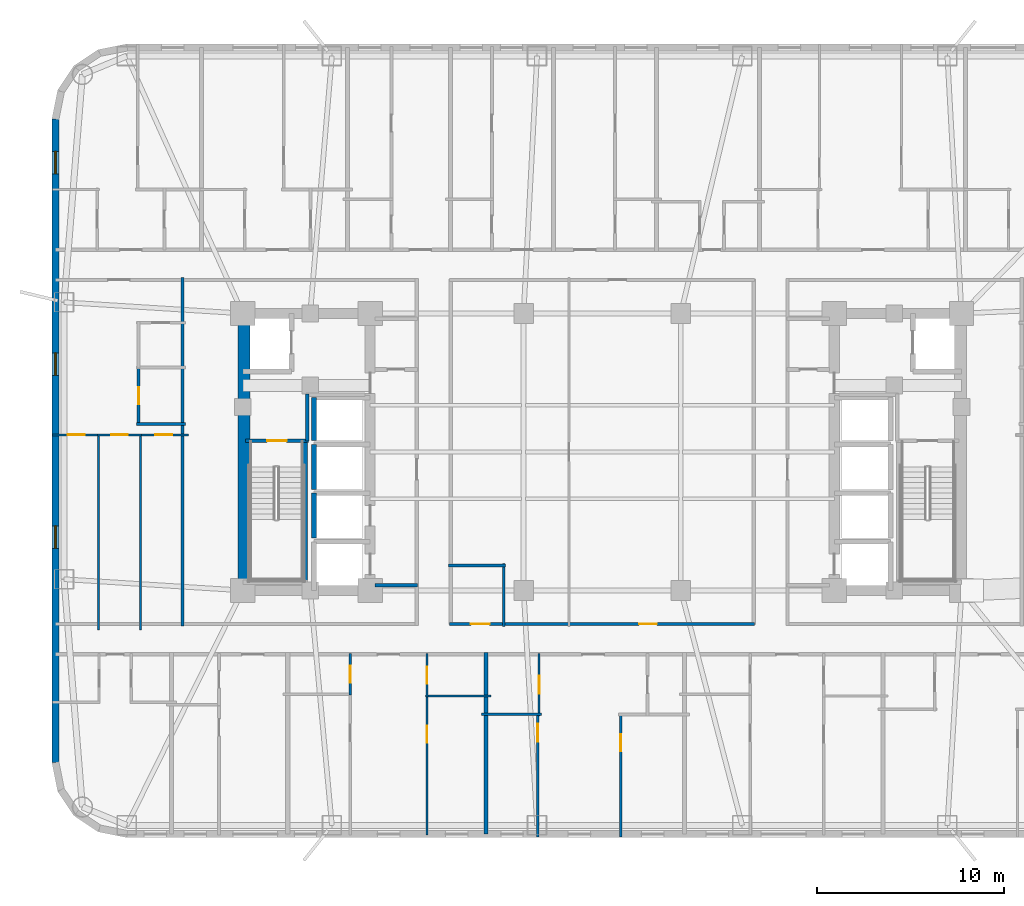
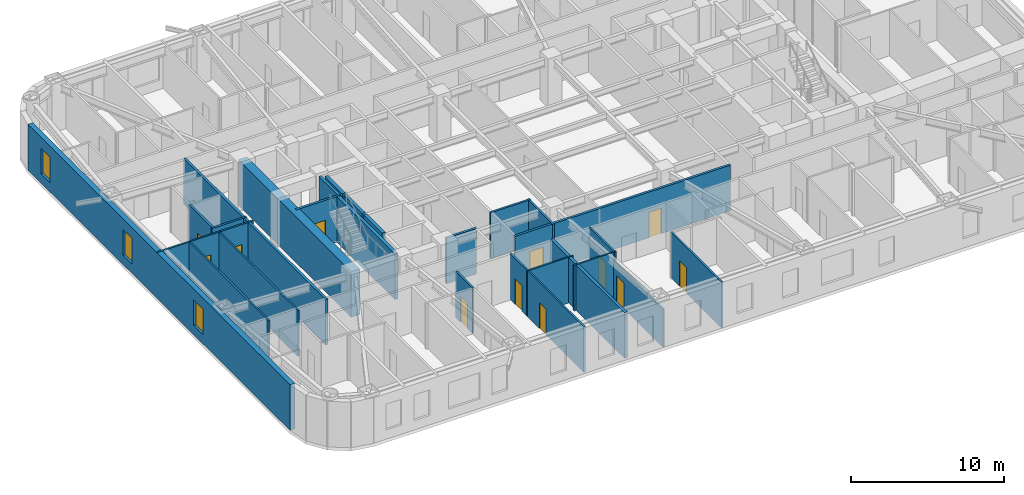
# One storey, part 3 of 12: 29 walls, 13 doors, 3 windows, 16 openings.
"""IFC4 building model written with IfcOpenShell, lengths in metres."""

from ifc_helpers import new_model, si_unit, direction, frame, frame_2d, origin, place, context, subcontext, project, spatial, rectangle, extrude, material, layer, layer_set, type_object, element, fill, save


model = new_model("IFC4")

# Units and contexts
model_context = context("Model", 3, precision=1e-05, world=origin(), true_north=direction((0.0, 1.0)))
body_context = subcontext(model_context, "Body", "Model", "MODEL_VIEW")
ifc_project = project(units=[si_unit("LENGTHUNIT", "METRE"), si_unit("AREAUNIT", "SQUARE_METRE"), si_unit("VOLUMEUNIT", "CUBIC_METRE"), si_unit("PLANEANGLEUNIT", "RADIAN"), si_unit("MASSUNIT", "GRAM", prefix="KILO")], contexts=[model_context])

# Site, building, storey
site_placement = place(None, origin())
site = spatial("IfcSite", under=ifc_project, at=site_placement, CompositionType="ELEMENT")
building_placement = place(site_placement, origin())
building = spatial("IfcBuilding", under=site, at=building_placement, Name="Voryun Gate Residences", CompositionType="ELEMENT")
storey_placement = place(building_placement, frame((0.0, 0.0, 109.199951171875)))
storey = spatial("IfcBuildingStorey", under=building, at=storey_placement, Name="L26", CompositionType="ELEMENT", Elevation=109.199951171875)

# Wall
ifc_material_1 = material(Name="Concrete C60/75", Category="concrete")
ifc_layer_1 = layer(ifc_material_1, 0.64990234375, Name="CW_CORE_650")
ifc_layer_set_1 = layer_set([ifc_layer_1], Name="Concrete C60/75")
wall_type_1 = type_object("IfcWallType", Name="CW_CORE_650", PredefinedType="SHEAR", material=ifc_layer_set_1)
wall_1_placement = place(storey_placement, frame((-19.14501953125, -7.39990234375, 0.0), z_axis=(0.0, 0.0, 1.0), x_axis=(0.0, 1.0, 0.0)))
element("IfcWall", 1, at=wall_1_placement, inside=storey, type_object=wall_type_1, Name="L26 Core shear wall CW-L26-WW", PredefinedType="SHEAR", context=body_context, shape_type="SweptSolid", body=[
    extrude(rectangle(XDim=14.7998046875, YDim=0.64990234375, at=frame_2d((7.39990234375, 0.0))), origin(), (0.0, 0.0, 1.0), 3.650146484375),
])

# Wall, opening, door
ifc_material_2 = material(Name="Gypsum acoustic fireboard")
ifc_layer_2 = layer(ifc_material_2, 0.179931640625, Name="W_CORR_RATED_180")
ifc_layer_set_2 = layer_set([ifc_layer_2], Name="Gypsum acoustic fireboard")
wall_type_2 = type_object("IfcWallType", Name="W_CORR_RATED_180", PredefinedType="PARTITIONING", material=ifc_layer_set_2)
wall_2_placement = place(storey_placement, frame((-19.06005859375, 0.60009765625, 0.0), z_axis=(0.0, 0.0, 1.0), x_axis=(1.0, 0.0, 0.0)))
wall_2 = element("IfcWall", 2, at=wall_2_placement, inside=storey, type_object=wall_type_2, Name="Partition wall WP-L26-STV-W", PredefinedType="PARTITIONING", context=body_context, shape_type="SweptSolid", body=[
    extrude(rectangle(XDim=3.360107421875, YDim=0.179931640625, at=frame_2d((1.68017578125, 0.0))), origin(), (0.0, 0.0, 1.0), 3.650146484375),
])
opening_1_placement = place(wall_2_placement, frame((1.155029296875, 0.0, 0.0)))
opening_1 = element("IfcOpeningElement", 3, at=opening_1_placement, cuts=wall_2, Name="Opening D-FD60-1", PredefinedType="OPENING", context=body_context, shape_type="SweptSolid", body=[
    extrude(rectangle(XDim=1.050048828125, YDim=2.050048828125, at=frame_2d((0.52490234375, 1.02490234375))), frame((0.0, 0.099853515625, 0.0), z_axis=(0.0, -1.0, 0.0), x_axis=(1.0, 0.0, 0.0)), (0.0, 0.0, 1.0), 0.199951171875),
])
ifc_material_3 = material(Name="Painted steel fire door", Category="steel")
door_type_1 = type_object("IfcDoorType", Name="DR_FD60_STAIR_1050", OperationType="NOTDEFINED", PredefinedType="DOOR", material=ifc_material_3)
door_1_placement = place(opening_1_placement, origin())
door_1 = element("IfcDoor", 4, at=door_1_placement, inside=storey, type_object=door_type_1, Name="Door DR-L26-ST-W", OperationType="SINGLE_SWING_LEFT", OverallHeight=2.050048828125, OverallWidth=1.050048828125, PredefinedType="DOOR", context=body_context, shape_type="SweptSolid", body=[
    extrude(rectangle(XDim=1.050048828125, YDim=2.050048828125, at=frame_2d((0.52490234375, 1.02490234375))), frame((0.0, 0.02490234375, 0.0), z_axis=(0.0, -1.0, 0.0), x_axis=(1.0, 0.0, 0.0)), (0.0, 0.0, 1.0), 0.050048828125),
])
fill(opening_1, door_1)

# Wall
wall_3_placement = place(storey_placement, frame((-12.14990234375, -7.1201171875, 0.0), z_axis=(0.0, 0.0, 1.0), x_axis=(1.0, 0.0, 0.0)))
element("IfcWall", 5, at=wall_3_placement, inside=storey, type_object=wall_type_2, Name="Partition wall WP-L26-PLBS-W", PredefinedType="PARTITIONING", context=body_context, shape_type="SweptSolid", body=[
    extrude(rectangle(XDim=2.27001953125, YDim=0.179931640625, at=frame_2d((1.135009765625, 0.0))), origin(), (0.0, 0.0, 1.0), 3.650146484375),
])

# Wall, openings, doors
wall_4_placement = place(storey_placement, frame((-8.14990234375, -9.18994140625, 0.0), z_axis=(0.0, 0.0, 1.0), x_axis=(1.0, 0.0, 0.0)))
wall_4 = element("IfcWall", 6, at=wall_4_placement, inside=storey, type_object=wall_type_2, Name="Partition wall WP-L26-Z1S", PredefinedType="PARTITIONING", context=body_context, shape_type="SweptSolid", body=[
    extrude(rectangle(XDim=16.2998046875, YDim=0.179931640625, at=frame_2d((8.14990234375, 0.0))), origin(), (0.0, 0.0, 1.0), 3.650146484375),
])
opening_2_placement = place(wall_4_placement, frame((1.1298828125, 0.0, 0.0)))
opening_2 = element("IfcOpeningElement", 7, at=opening_2_placement, cuts=wall_4, Name="Opening D-AWC-1", PredefinedType="OPENING", context=body_context, shape_type="SweptSolid", body=[
    extrude(rectangle(XDim=1.0, YDim=2.050048828125, at=frame_2d((0.5, 1.02490234375))), frame((0.0, 0.099853515625, 0.0), z_axis=(0.0, -1.0, 0.0), x_axis=(1.0, 0.0, 0.0)), (0.0, 0.0, 1.0), 0.199951171875),
])
opening_3_placement = place(wall_4_placement, frame((10.1201171875, 0.0, 0.0)))
opening_3 = element("IfcOpeningElement", 8, at=opening_3_placement, cuts=wall_4, Name="Opening D-INT-1", PredefinedType="OPENING", context=body_context, shape_type="SweptSolid", body=[
    extrude(rectangle(XDim=0.949951171875, YDim=2.050048828125, at=frame_2d((0.47509765625, 1.02490234375))), frame((0.0, 0.099853515625, 0.0), z_axis=(0.0, -1.0, 0.0), x_axis=(1.0, 0.0, 0.0)), (0.0, 0.0, 1.0), 0.199951171875),
])
ifc_material_4 = material(Name="Architectural oak veneer")
door_type_2 = type_object("IfcDoorType", Name="DR_ACC_WC_1000", OperationType="NOTDEFINED", PredefinedType="DOOR", material=ifc_material_4)
door_2_placement = place(opening_2_placement, origin())
door_2 = element("IfcDoor", 9, at=door_2_placement, inside=storey, type_object=door_type_2, Name="Door DR-L26-CMWC-D", OperationType="SINGLE_SWING_LEFT", OverallHeight=2.050048828125, OverallWidth=1.0, PredefinedType="DOOR", context=body_context, shape_type="SweptSolid", body=[
    extrude(rectangle(XDim=1.0, YDim=2.050048828125, at=frame_2d((0.5, 1.02490234375))), frame((0.0, 0.02490234375, 0.0), z_axis=(0.0, -1.0, 0.0), x_axis=(1.0, 0.0, 0.0)), (0.0, 0.0, 1.0), 0.050048828125),
])
fill(opening_2, door_2)
ifc_material_5 = material(Name="Architectural oak veneer")
door_type_3 = type_object("IfcDoorType", Name="DR_INT_ROOM_950", OperationType="NOTDEFINED", PredefinedType="DOOR", material=ifc_material_5)
door_3_placement = place(opening_3_placement, origin())
door_3 = element("IfcDoor", 10, at=door_3_placement, inside=storey, type_object=door_type_3, Name="Door DR-L26-CMIDZ1S", OperationType="SINGLE_SWING_RIGHT", OverallHeight=2.050048828125, OverallWidth=0.949951171875, PredefinedType="DOOR", context=body_context, shape_type="SweptSolid", body=[
    extrude(rectangle(XDim=0.949951171875, YDim=2.050048828125, at=frame_2d((0.47509765625, 1.02490234375))), frame((0.0, 0.02490234375, 0.0), z_axis=(0.0, -1.0, 0.0), x_axis=(1.0, 0.0, 0.0)), (0.0, 0.0, 1.0), 0.050048828125),
])
fill(opening_3, door_3)

# Wall
wall_5_placement = place(storey_placement, frame((-22.419921875, -9.31005859375, 0.0), z_axis=(0.0, 0.0, 1.0), x_axis=(0.0, 1.0, 0.0)))
element("IfcWall", 11, at=wall_5_placement, inside=storey, type_object=wall_type_2, Name="Partition wall WP-L26-WCOR", PredefinedType="PARTITIONING", context=body_context, shape_type="SweptSolid", body=[
    extrude(rectangle(XDim=18.6201171875, YDim=0.179931640625, at=frame_2d((9.31005859375, 0.0))), origin(), (0.0, 0.0, 1.0), 3.650146484375),
])

# Wall, openings, windows
ifc_material_6 = material(Name="Granite masonry", Category="masonry")
ifc_layer_3 = layer(ifc_material_6, 0.3798828125, Name="W_EXT_GRANITE_380")
ifc_layer_set_3 = layer_set([ifc_layer_3], Name="Granite masonry")
wall_type_3 = type_object("IfcWallType", Name="W_EXT_GRANITE_380", PredefinedType="ELEMENTEDWALL", material=ifc_layer_set_3)
wall_6_placement = place(storey_placement, frame((-29.2099609375, -16.581298828125, 0.0), z_axis=(0.0, 0.0, 1.0), x_axis=(0.0, 1.0, 0.0)))
wall_6 = element("IfcWall", 12, at=wall_6_placement, inside=storey, type_object=wall_type_3, Name="Exterior wall WEXT-L26-06", PredefinedType="ELEMENTEDWALL", context=body_context, shape_type="SweptSolid", body=[
    extrude(rectangle(XDim=34.362548828125, YDim=0.3798828125, at=frame_2d((17.18115234375, 0.0))), origin(), (0.0, 0.0, 1.0), 3.650146484375),
])
opening_4_placement = place(wall_6_placement, frame((31.43701171875, 0.0, 0.75)))
opening_4 = element("IfcOpeningElement", 13, at=opening_4_placement, cuts=wall_6, Name="Opening WN6", PredefinedType="OPENING", context=body_context, shape_type="SweptSolid", body=[
    extrude(rectangle(XDim=1.199951171875, YDim=2.050048828125, at=frame_2d((0.60009765625, 1.02490234375))), frame((0.0, 0.199951171875, 0.0), z_axis=(0.0, -1.0, 0.0), x_axis=(1.0, 0.0, 0.0)), (0.0, 0.0, 1.0), 0.39990234375),
])
opening_5_placement = place(wall_6_placement, frame((20.67626953125, 0.0, 0.75)))
opening_5 = element("IfcOpeningElement", 14, at=opening_5_placement, cuts=wall_6, Name="Opening WN6", PredefinedType="OPENING", context=body_context, shape_type="SweptSolid", body=[
    extrude(rectangle(XDim=1.199951171875, YDim=2.050048828125, at=frame_2d((0.60009765625, 1.02490234375))), frame((0.0, 0.199951171875, 0.0), z_axis=(0.0, -1.0, 0.0), x_axis=(1.0, 0.0, 0.0)), (0.0, 0.0, 1.0), 0.39990234375),
])
opening_6_placement = place(wall_6_placement, frame((11.42626953125, 0.0, 0.75)))
opening_6 = element("IfcOpeningElement", 15, at=opening_6_placement, cuts=wall_6, Name="Opening WN6", PredefinedType="OPENING", context=body_context, shape_type="SweptSolid", body=[
    extrude(rectangle(XDim=1.199951171875, YDim=2.050048828125, at=frame_2d((0.60009765625, 1.02490234375))), frame((0.0, 0.199951171875, 0.0), z_axis=(0.0, -1.0, 0.0), x_axis=(1.0, 0.0, 0.0)), (0.0, 0.0, 1.0), 0.39990234375),
])
ifc_material_7 = material(Name="Laminated low-E glass", Category="glass")
window_type = type_object("IfcWindowType", Name="WN_POD_SLOT_1200", PartitioningType="SINGLE_PANEL", PredefinedType="WINDOW", material=ifc_material_7)
window_1_placement = place(opening_4_placement, origin())
window_1 = element("IfcWindow", 16, at=window_1_placement, inside=storey, type_object=window_type, Name="Window WN-L26-DWFIX-01", OverallHeight=2.050048828125, OverallWidth=1.199951171875, PartitioningType="SINGLE_PANEL", PredefinedType="WINDOW", context=body_context, shape_type="SweptSolid", body=[
    extrude(rectangle(XDim=1.199951171875, YDim=2.050048828125, at=frame_2d((0.60009765625, 1.02490234375))), frame((0.0, 0.030029296875, 0.0), z_axis=(0.0, -1.0, 0.0), x_axis=(1.0, 0.0, 0.0)), (0.0, 0.0, 1.0), 0.06005859375),
])
fill(opening_4, window_1)
window_2_placement = place(opening_5_placement, origin())
window_2 = element("IfcWindow", 17, at=window_2_placement, inside=storey, type_object=window_type, Name="Window WN-L26-DWFIX-30", OverallHeight=2.050048828125, OverallWidth=1.199951171875, PartitioningType="SINGLE_PANEL", PredefinedType="WINDOW", context=body_context, shape_type="SweptSolid", body=[
    extrude(rectangle(XDim=1.199951171875, YDim=2.050048828125, at=frame_2d((0.60009765625, 1.02490234375))), frame((0.0, 0.030029296875, 0.0), z_axis=(0.0, -1.0, 0.0), x_axis=(1.0, 0.0, 0.0)), (0.0, 0.0, 1.0), 0.06005859375),
])
fill(opening_5, window_2)
window_3_placement = place(opening_6_placement, origin())
window_3 = element("IfcWindow", 18, at=window_3_placement, inside=storey, type_object=window_type, Name="Window WN-L26-DWFIX-31", OverallHeight=2.050048828125, OverallWidth=1.199951171875, PartitioningType="SINGLE_PANEL", PredefinedType="WINDOW", context=body_context, shape_type="SweptSolid", body=[
    extrude(rectangle(XDim=1.199951171875, YDim=2.050048828125, at=frame_2d((0.60009765625, 1.02490234375))), frame((0.0, 0.030029296875, 0.0), z_axis=(0.0, -1.0, 0.0), x_axis=(1.0, 0.0, 0.0)), (0.0, 0.0, 1.0), 0.06005859375),
])
fill(opening_6, window_3)

# Walls
ifc_material_8 = material(Name="Concrete C40/50", Category="concrete")
ifc_layer_4 = layer(ifc_material_8, 0.199951171875, Name="W_FF_LOBBY_200")
ifc_layer_set_4 = layer_set([ifc_layer_4], Name="Concrete C40/50")
wall_type_4 = type_object("IfcWallType", Name="W_FF_LOBBY_200", PredefinedType="PARTITIONING", material=ifc_layer_set_4)
wall_7_placement = place(storey_placement, frame((-15.760009765625, 0.580078125, 0.0), z_axis=(0.0, 0.0, 1.0), x_axis=(0.0, 1.0, 0.0)))
element("IfcWall", 19, at=wall_7_placement, inside=storey, type_object=wall_type_4, Name="Partition wall WP-L26-FFP0-W", PredefinedType="PARTITIONING", context=body_context, shape_type="SweptSolid", body=[
    extrude(rectangle(XDim=2.52001953125, YDim=0.199951171875, at=frame_2d((1.260009765625, 0.0))), origin(), (0.0, 0.0, 1.0), 3.650146484375),
])
ifc_material_9 = material(Name="Concrete C40/50", Category="concrete")
ifc_layer_5 = layer(ifc_material_9, 0.219970703125, Name="W_PARTY_ACOUSTIC_220")
ifc_layer_set_5 = layer_set([ifc_layer_5], Name="Concrete C40/50")
wall_type_5 = type_object("IfcWallType", Name="W_PARTY_ACOUSTIC_220", PredefinedType="PARTITIONING", material=ifc_layer_set_5)
wall_8_placement = place(storey_placement, frame((-6.199951171875, -20.409912109375, 0.0), z_axis=(0.0, 0.0, 1.0), x_axis=(0.0, 1.0, 0.0)))
element("IfcWall", 20, at=wall_8_placement, inside=storey, type_object=wall_type_5, Name="Partition wall WP-L26-SPTY-3", PredefinedType="PARTITIONING", context=body_context, shape_type="SweptSolid", body=[
    extrude(rectangle(XDim=9.68994140625, YDim=0.219970703125, at=frame_2d((4.844970703125, 0.0))), origin(), (0.0, 0.0, 1.0), 3.650146484375),
])
ifc_material_10 = material(Name="Concrete C50/60", Category="concrete")
ifc_layer_6 = layer(ifc_material_10, 0.25, Name="W_SHAFT_RC250")
ifc_layer_set_6 = layer_set([ifc_layer_6], Name="Concrete C50/60")
wall_type_6 = type_object("IfcWallType", Name="W_SHAFT_RC250", PredefinedType="SOLIDWALL", material=ifc_layer_set_6)
wall_9_placement = place(storey_placement, frame((-15.860107421875, -7.0849609375, 0.0), z_axis=(0.0, 0.0, 1.0), x_axis=(0.0, 1.0, 0.0)))
element("IfcWall", 21, at=wall_9_placement, inside=storey, type_object=wall_type_6, Name="L26 Stair shaft structural wall W-STR", PredefinedType="SOLIDWALL", context=body_context, shape_type="SweptSolid", body=[
    extrude(rectangle(XDim=7.68505859375, YDim=0.25, at=frame_2d((3.842529296875, 0.0))), origin(), (0.0, 0.0, 1.0), 3.650146484375),
])
wall_10_placement = place(storey_placement, frame((-15.39990234375, -2.199951171875, 0.0), z_axis=(0.0, 0.0, 1.0), x_axis=(0.0, -1.0, 0.0)))
element("IfcWall", 22, at=wall_10_placement, inside=storey, type_object=wall_type_6, Name="Lift shaft wall WSH-L26-EL-P2-W", PredefinedType="SOLIDWALL", context=body_context, shape_type="SweptSolid", body=[
    extrude(rectangle(XDim=2.400146484375, YDim=0.25, at=frame_2d((1.2001953125, 0.0))), origin(), (0.0, 0.0, 1.0), 3.650146484375),
])
wall_11_placement = place(storey_placement, frame((-15.39990234375, 0.39990234375, 0.0), z_axis=(0.0, 0.0, 1.0), x_axis=(0.0, -1.0, 0.0)))
element("IfcWall", 23, at=wall_11_placement, inside=storey, type_object=wall_type_6, Name="Lift shaft wall WSH-L26-EL-P4-W", PredefinedType="SOLIDWALL", context=body_context, shape_type="SweptSolid", body=[
    extrude(rectangle(XDim=2.39990234375, YDim=0.25, at=frame_2d((1.199951171875, 0.0))), origin(), (0.0, 0.0, 1.0), 3.650146484375),
])
wall_12_placement = place(storey_placement, frame((-15.39990234375, 2.89990234375, 0.0), z_axis=(0.0, 0.0, 1.0), x_axis=(0.0, -1.0, 0.0)))
element("IfcWall", 24, at=wall_12_placement, inside=storey, type_object=wall_type_6, Name="Lift shaft wall WSH-L26-EL-P7-W", PredefinedType="SOLIDWALL", context=body_context, shape_type="SweptSolid", body=[
    extrude(rectangle(XDim=2.2998046875, YDim=0.25, at=frame_2d((1.14990234375, 0.0))), origin(), (0.0, 0.0, 1.0), 3.650146484375),
])
ifc_material_11 = material(Name="Gypsum acoustic partition")
ifc_layer_7 = layer(ifc_material_11, 0.125, Name="W_UNIT_PART_125")
ifc_layer_set_7 = layer_set([ifc_layer_7], Name="Gypsum acoustic partition")
wall_type_7 = type_object("IfcWallType", Name="W_UNIT_PART_125", PredefinedType="PARTITIONING", material=ifc_layer_set_7)
wall_13_placement = place(storey_placement, frame((-9.43994140625, -13.0400390625, 0.0), z_axis=(0.0, 0.0, 1.0), x_axis=(1.0, 0.0, 0.0)))
element("IfcWall", 25, at=wall_13_placement, inside=storey, type_object=wall_type_7, Name="Partition wall WP-L26-S3-RHY", PredefinedType="PARTITIONING", context=body_context, shape_type="SweptSolid", body=[
    extrude(rectangle(XDim=3.5, YDim=0.125, at=frame_2d((1.75, 0.0))), origin(), (0.0, 0.0, 1.0), 3.650146484375),
])

# Wall, opening, door
wall_14_placement = place(storey_placement, frame((-9.360107421875, -20.45751953125, 0.0), z_axis=(0.0, 0.0, 1.0), x_axis=(0.0, 1.0, 0.0)))
wall_14 = element("IfcWall", 26, at=wall_14_placement, inside=storey, type_object=wall_type_7, Name="Partition wall WP-L26-S3-RVX1", PredefinedType="PARTITIONING", context=body_context, shape_type="SweptSolid", body=[
    extrude(rectangle(XDim=7.45751953125, YDim=0.125, at=frame_2d((3.728759765625, 0.0))), origin(), (0.0, 0.0, 1.0), 3.650146484375),
])
opening_7_placement = place(wall_14_placement, frame((4.91943359375, 0.0, 0.0)))
opening_7 = element("IfcOpeningElement", 27, at=opening_7_placement, cuts=wall_14, Name="Opening D-INT-2", PredefinedType="OPENING", context=body_context, shape_type="SweptSolid", body=[
    extrude(rectangle(XDim=0.89990234375, YDim=2.050048828125, at=frame_2d((0.449951171875, 1.02490234375))), frame((0.0, 0.072509765625, 0.0), z_axis=(0.0, -1.0, 0.0), x_axis=(1.0, 0.0, 0.0)), (0.0, 0.0, 1.0), 0.14501953125),
])
ifc_material_12 = material(Name="Architectural oak veneer")
door_type_4 = type_object("IfcDoorType", Name="DR_INT_BATH_900", OperationType="NOTDEFINED", PredefinedType="DOOR", material=ifc_material_12)
door_4_placement = place(opening_7_placement, origin())
door_4 = element("IfcDoor", 28, at=door_4_placement, inside=storey, type_object=door_type_4, Name="Door DR-L26-S3-DB2", OperationType="SINGLE_SWING_RIGHT", OverallHeight=2.050048828125, OverallWidth=0.89990234375, PredefinedType="DOOR", context=body_context, shape_type="SweptSolid", body=[
    extrude(rectangle(XDim=0.89990234375, YDim=2.050048828125, at=frame_2d((0.449951171875, 1.02490234375))), frame((0.0, 0.02490234375, 0.0), z_axis=(0.0, -1.0, 0.0), x_axis=(1.0, 0.0, 0.0)), (0.0, 0.0, 1.0), 0.050048828125),
])
fill(opening_7, door_4)

wall_15_placement = place(storey_placement, frame((-9.360107421875, -13.080078125, 0.0), z_axis=(0.0, 0.0, 1.0), x_axis=(0.0, 1.0, 0.0)))
wall_15 = element("IfcWall", 29, at=wall_15_placement, inside=storey, type_object=wall_type_7, Name="Partition wall WP-L26-S3-RVX2", PredefinedType="PARTITIONING", context=body_context, shape_type="SweptSolid", body=[
    extrude(rectangle(XDim=2.300048828125, YDim=0.125, at=frame_2d((1.14990234375, 0.0))), origin(), (0.0, 0.0, 1.0), 3.650146484375),
])
opening_8_placement = place(wall_15_placement, frame((0.699951171875, 0.0, 0.0)))
opening_8 = element("IfcOpeningElement", 30, at=opening_8_placement, cuts=wall_15, Name="Opening D-INT-2", PredefinedType="OPENING", context=body_context, shape_type="SweptSolid", body=[
    extrude(rectangle(XDim=0.89990234375, YDim=2.050048828125, at=frame_2d((0.449951171875, 1.02490234375))), frame((0.0, 0.072509765625, 0.0), z_axis=(0.0, -1.0, 0.0), x_axis=(1.0, 0.0, 0.0)), (0.0, 0.0, 1.0), 0.14501953125),
])
door_5_placement = place(opening_8_placement, origin())
door_5 = element("IfcDoor", 31, at=door_5_placement, inside=storey, type_object=door_type_4, Name="Door DR-L26-S3-DK", OperationType="SINGLE_SWING_LEFT", OverallHeight=2.050048828125, OverallWidth=0.89990234375, PredefinedType="DOOR", context=body_context, shape_type="SweptSolid", body=[
    extrude(rectangle(XDim=0.89990234375, YDim=2.050048828125, at=frame_2d((0.449951171875, 1.02490234375))), frame((0.0, 0.02490234375, 0.0), z_axis=(0.0, -1.0, 0.0), x_axis=(1.0, 0.0, 0.0)), (0.0, 0.0, 1.0), 0.050048828125),
])
fill(opening_8, door_5)

wall_16_placement = place(storey_placement, frame((-3.43603515625, -20.56005859375, 0.0), z_axis=(0.0, 0.0, 1.0), x_axis=(0.0, 1.0, 0.0)))
wall_16 = element("IfcWall", 32, at=wall_16_placement, inside=storey, type_object=wall_type_7, Name="Partition wall WP-L26-S4-OVL", PredefinedType="PARTITIONING", context=body_context, shape_type="SweptSolid", body=[
    extrude(rectangle(XDim=6.6201171875, YDim=0.125, at=frame_2d((3.31005859375, 0.0))), origin(), (0.0, 0.0, 1.0), 3.0400390625),
])
opening_9_placement = place(wall_16_placement, frame((5.085693359375, 0.0, 0.0)))
opening_9 = element("IfcOpeningElement", 33, at=opening_9_placement, cuts=wall_16, Name="Opening D-INT-1", PredefinedType="OPENING", context=body_context, shape_type="SweptSolid", body=[
    extrude(rectangle(XDim=0.949951171875, YDim=2.050048828125, at=frame_2d((0.47509765625, 1.02490234375))), frame((0.0, 0.072509765625, 0.0), z_axis=(0.0, -1.0, 0.0), x_axis=(1.0, 0.0, 0.0)), (0.0, 0.0, 1.0), 0.14501953125),
])
door_6_placement = place(opening_9_placement, origin())
door_6 = element("IfcDoor", 34, at=door_6_placement, inside=storey, type_object=door_type_3, Name="Door DR-L26-S4-DB2", OperationType="SINGLE_SWING_LEFT", OverallHeight=2.050048828125, OverallWidth=0.949951171875, PredefinedType="DOOR", context=body_context, shape_type="SweptSolid", body=[
    extrude(rectangle(XDim=0.949951171875, YDim=2.050048828125, at=frame_2d((0.47509765625, 1.02490234375))), frame((0.0, 0.02490234375, 0.0), z_axis=(0.0, -1.0, 0.0), x_axis=(1.0, 0.0, 0.0)), (0.0, 0.0, 1.0), 0.050048828125),
])
fill(opening_9, door_6)

wall_17_placement = place(storey_placement, frame((0.989990234375, -20.56005859375, 0.0), z_axis=(0.0, 0.0, 1.0), x_axis=(0.0, 1.0, 0.0)))
wall_17 = element("IfcWall", 35, at=wall_17_placement, inside=storey, type_object=wall_type_7, Name="Partition wall WP-L26-S4-OVR", PredefinedType="PARTITIONING", context=body_context, shape_type="SweptSolid", body=[
    extrude(rectangle(XDim=6.6201171875, YDim=0.125, at=frame_2d((3.31005859375, 0.0))), origin(), (0.0, 0.0, 1.0), 3.650146484375),
])
opening_10_placement = place(wall_17_placement, frame((4.581298828125, 0.0, 0.0)))
opening_10 = element("IfcOpeningElement", 36, at=opening_10_placement, cuts=wall_17, Name="Opening D-INT-2", PredefinedType="OPENING", context=body_context, shape_type="SweptSolid", body=[
    extrude(rectangle(XDim=0.89990234375, YDim=2.050048828125, at=frame_2d((0.449951171875, 1.02490234375))), frame((0.0, 0.072509765625, 0.0), z_axis=(0.0, -1.0, 0.0), x_axis=(1.0, 0.0, 0.0)), (0.0, 0.0, 1.0), 0.14501953125),
])
door_7_placement = place(opening_10_placement, origin())
door_7 = element("IfcDoor", 37, at=door_7_placement, inside=storey, type_object=door_type_4, Name="Door DR-L26-S4-DMB", OperationType="SINGLE_SWING_RIGHT", OverallHeight=2.050048828125, OverallWidth=0.89990234375, PredefinedType="DOOR", context=body_context, shape_type="SweptSolid", body=[
    extrude(rectangle(XDim=0.89990234375, YDim=2.050048828125, at=frame_2d((0.449951171875, 1.02490234375))), frame((0.0, 0.02490234375, 0.0), z_axis=(0.0, -1.0, 0.0), x_axis=(1.0, 0.0, 0.0)), (0.0, 0.0, 1.0), 0.050048828125),
])
fill(opening_10, door_7)

wall_18_placement = place(storey_placement, frame((-3.373046875, -14.10009765625, 0.0), z_axis=(0.0, 0.0, 1.0), x_axis=(0.0, 1.0, 0.0)))
wall_18 = element("IfcWall", 38, at=wall_18_placement, inside=storey, type_object=wall_type_7, Name="Partition wall WP-L26-S4-IVK", PredefinedType="PARTITIONING", context=body_context, shape_type="SweptSolid", body=[
    extrude(rectangle(XDim=3.320068359375, YDim=0.125, at=frame_2d((1.66015625, 0.0))), origin(), (0.0, 0.0, 1.0), 3.650146484375),
])
opening_11_placement = place(wall_18_placement, frame((1.18505859375, 0.0, 0.0)))
opening_11 = element("IfcOpeningElement", 39, at=opening_11_placement, cuts=wall_18, Name="Opening D-INT-1", PredefinedType="OPENING", context=body_context, shape_type="SweptSolid", body=[
    extrude(rectangle(XDim=0.949951171875, YDim=2.050048828125, at=frame_2d((0.47509765625, 1.02490234375))), frame((0.0, 0.072509765625, 0.0), z_axis=(0.0, -1.0, 0.0), x_axis=(1.0, 0.0, 0.0)), (0.0, 0.0, 1.0), 0.14501953125),
])
door_8_placement = place(opening_11_placement, origin())
door_8 = element("IfcDoor", 40, at=door_8_placement, inside=storey, type_object=door_type_3, Name="Door DR-L26-S4-DK", OperationType="SINGLE_SWING_LEFT", OverallHeight=2.050048828125, OverallWidth=0.949951171875, PredefinedType="DOOR", context=body_context, shape_type="SweptSolid", body=[
    extrude(rectangle(XDim=0.949951171875, YDim=2.050048828125, at=frame_2d((0.47509765625, 1.02490234375))), frame((0.0, 0.02490234375, 0.0), z_axis=(0.0, -1.0, 0.0), x_axis=(1.0, 0.0, 0.0)), (0.0, 0.0, 1.0), 0.050048828125),
])
fill(opening_11, door_8)

# Wall
wall_19_placement = place(storey_placement, frame((-6.4599609375, -14.02001953125, 0.0), z_axis=(0.0, 0.0, 1.0), x_axis=(1.0, 0.0, 0.0)))
element("IfcWall", 41, at=wall_19_placement, inside=storey, type_object=wall_type_7, Name="Partition wall WP-L26-S4-HZK", PredefinedType="PARTITIONING", context=body_context, shape_type="SweptSolid", body=[
    extrude(rectangle(XDim=3.20703125, YDim=0.125, at=frame_2d((1.603515625, 0.0))), origin(), (0.0, 0.0, 1.0), 3.650146484375),
])

# Wall, opening, door
wall_20_placement = place(storey_placement, frame((-29.360107421875, 0.909912109375, 0.0), z_axis=(0.0, 0.0, 1.0), x_axis=(1.0, 0.0, 0.0)))
wall_20 = element("IfcWall", 42, at=wall_20_placement, inside=storey, type_object=wall_type_7, Name="Partition wall WP-L26-W1-HZMB1", PredefinedType="PARTITIONING", context=body_context, shape_type="SweptSolid", body=[
    extrude(rectangle(XDim=2.5166015625, YDim=0.125, at=frame_2d((1.25830078125, 0.0))), origin(), (0.0, 0.0, 1.0), 3.650146484375),
])
opening_12_placement = place(wall_20_placement, frame((0.81689453125, 0.0, 0.0)))
opening_12 = element("IfcOpeningElement", 43, at=opening_12_placement, cuts=wall_20, Name="Opening D-INT-2", PredefinedType="OPENING", context=body_context, shape_type="SweptSolid", body=[
    extrude(rectangle(XDim=0.89990234375, YDim=2.050048828125, at=frame_2d((0.449951171875, 1.02490234375))), frame((0.0, 0.072509765625, 0.0), z_axis=(0.0, -1.0, 0.0), x_axis=(1.0, 0.0, 0.0)), (0.0, 0.0, 1.0), 0.14501953125),
])
door_9_placement = place(opening_12_placement, origin())
door_9 = element("IfcDoor", 44, at=door_9_placement, inside=storey, type_object=door_type_4, Name="Door DR-L26-W1-DMB", OperationType="SINGLE_SWING_LEFT", OverallHeight=2.050048828125, OverallWidth=0.89990234375, PredefinedType="DOOR", context=body_context, shape_type="SweptSolid", body=[
    extrude(rectangle(XDim=0.89990234375, YDim=2.050048828125, at=frame_2d((0.449951171875, 1.02490234375))), frame((0.0, 0.02490234375, 0.0), z_axis=(0.0, -1.0, 0.0), x_axis=(1.0, 0.0, 0.0)), (0.0, 0.0, 1.0), 0.050048828125),
])
fill(opening_12, door_9)

wall_21_placement = place(storey_placement, frame((-26.968505859375, 0.909912109375, 0.0), z_axis=(0.0, 0.0, 1.0), x_axis=(1.0, 0.0, 0.0)))
wall_21 = element("IfcWall", 45, at=wall_21_placement, inside=storey, type_object=wall_type_7, Name="Partition wall WP-L26-W1-HZMB2", PredefinedType="PARTITIONING", context=body_context, shape_type="SweptSolid", body=[
    extrude(rectangle(XDim=2.367919921875, YDim=0.125, at=frame_2d((1.18408203125, 0.0))), origin(), (0.0, 0.0, 1.0), 3.650146484375),
])
opening_13_placement = place(wall_21_placement, frame((0.73388671875, 0.0, 0.0)))
opening_13 = element("IfcOpeningElement", 46, at=opening_13_placement, cuts=wall_21, Name="Opening D-INT-2", PredefinedType="OPENING", context=body_context, shape_type="SweptSolid", body=[
    extrude(rectangle(XDim=0.89990234375, YDim=2.050048828125, at=frame_2d((0.449951171875, 1.02490234375))), frame((0.0, 0.072509765625, 0.0), z_axis=(0.0, -1.0, 0.0), x_axis=(1.0, 0.0, 0.0)), (0.0, 0.0, 1.0), 0.14501953125),
])
door_10_placement = place(opening_13_placement, origin())
door_10 = element("IfcDoor", 47, at=door_10_placement, inside=storey, type_object=door_type_4, Name="Door DR-L26-W1-DBD2", OperationType="SINGLE_SWING_RIGHT", OverallHeight=2.050048828125, OverallWidth=0.89990234375, PredefinedType="DOOR", context=body_context, shape_type="SweptSolid", body=[
    extrude(rectangle(XDim=0.89990234375, YDim=2.050048828125, at=frame_2d((0.449951171875, 1.02490234375))), frame((0.0, 0.02490234375, 0.0), z_axis=(0.0, -1.0, 0.0), x_axis=(1.0, 0.0, 0.0)), (0.0, 0.0, 1.0), 0.050048828125),
])
fill(opening_13, door_10)

wall_22_placement = place(storey_placement, frame((-24.7255859375, 0.909912109375, 0.0), z_axis=(0.0, 0.0, 1.0), x_axis=(1.0, 0.0, 0.0)))
wall_22 = element("IfcWall", 48, at=wall_22_placement, inside=storey, type_object=wall_type_7, Name="Partition wall WP-L26-W1-HZMB3", PredefinedType="PARTITIONING", context=body_context, shape_type="SweptSolid", body=[
    extrude(rectangle(XDim=2.62548828125, YDim=0.125, at=frame_2d((1.312744140625, 0.0))), origin(), (0.0, 0.0, 1.0), 3.650146484375),
])
opening_14_placement = place(wall_22_placement, frame((0.85400390625, 0.0, 0.0)))
opening_14 = element("IfcOpeningElement", 49, at=opening_14_placement, cuts=wall_22, Name="Opening D-INT-2", PredefinedType="OPENING", context=body_context, shape_type="SweptSolid", body=[
    extrude(rectangle(XDim=0.89990234375, YDim=2.050048828125, at=frame_2d((0.449951171875, 1.02490234375))), frame((0.0, 0.072509765625, 0.0), z_axis=(0.0, -1.0, 0.0), x_axis=(1.0, 0.0, 0.0)), (0.0, 0.0, 1.0), 0.14501953125),
])
door_11_placement = place(opening_14_placement, origin())
door_11 = element("IfcDoor", 50, at=door_11_placement, inside=storey, type_object=door_type_4, Name="Door DR-L26-W1-DBD3", OperationType="SINGLE_SWING_LEFT", OverallHeight=2.050048828125, OverallWidth=0.89990234375, PredefinedType="DOOR", context=body_context, shape_type="SweptSolid", body=[
    extrude(rectangle(XDim=0.89990234375, YDim=2.050048828125, at=frame_2d((0.449951171875, 1.02490234375))), frame((0.0, 0.02490234375, 0.0), z_axis=(0.0, -1.0, 0.0), x_axis=(1.0, 0.0, 0.0)), (0.0, 0.0, 1.0), 0.050048828125),
])
fill(opening_14, door_11)

# Walls
for number, where, z_axis, x_axis, name in (
    (51, (-24.6630859375, -9.510009765625, 0.0), (0.0, 0.0, 1.0), (0.0, 1.0, 0.0), "Partition wall WP-L26-W1-VMB2"),
    (52, (-26.906005859375, -9.510009765625, 0.0), (0.0, 0.0, 1.0), (0.0, 1.0, 0.0), "Partition wall WP-L26-W1-VMB"),
):
    element("IfcWall", number, at=place(storey_placement, frame(where, z_axis=z_axis, x_axis=x_axis)), inside=storey, type_object=wall_type_7, Name=name, PredefinedType="PARTITIONING", context=body_context, shape_type="SweptSolid", body=[
        extrude(rectangle(XDim=10.47998046875, YDim=0.125, at=frame_2d((5.239990234375, 0.0))), origin(), (0.0, 0.0, 1.0), 3.650146484375),
    ])
ifc_material_13 = material(Name="Gypsum moisture-resistant partition")
ifc_layer_8 = layer(ifc_material_13, 0.14990234375, Name="W_WET_PLUMB_150")
ifc_layer_set_8 = layer_set([ifc_layer_8], Name="Gypsum moisture-resistant partition")
wall_type_8 = type_object("IfcWallType", Name="W_WET_PLUMB_150", PredefinedType="PLUMBINGWALL", material=ifc_layer_set_8)
wall_23_placement = place(storey_placement, frame((-5.260009765625, -9.320068359375, 0.0), z_axis=(0.0, 0.0, 1.0), x_axis=(0.0, 1.0, 0.0)))
element("IfcWall", 53, at=wall_23_placement, inside=storey, type_object=wall_type_8, Name="Partition wall WP-L26-CMWCX", PredefinedType="PLUMBINGWALL", context=body_context, shape_type="SweptSolid", body=[
    extrude(rectangle(XDim=3.35009765625, YDim=0.14990234375, at=frame_2d((1.675048828125, 0.0))), origin(), (0.0, 0.0, 1.0), 3.650146484375),
])
wall_24_placement = place(storey_placement, frame((-8.2099609375, -6.070068359375, 0.0), z_axis=(0.0, 0.0, 1.0), x_axis=(1.0, 0.0, 0.0)))
element("IfcWall", 54, at=wall_24_placement, inside=storey, type_object=wall_type_8, Name="Partition wall WP-L26-CMWCY", PredefinedType="PLUMBINGWALL", context=body_context, shape_type="SweptSolid", body=[
    extrude(rectangle(XDim=3.050048828125, YDim=0.14990234375, at=frame_2d((1.52490234375, 0.0))), origin(), (0.0, 0.0, 1.0), 3.650146484375),
])

# Wall, opening, door
wall_25_placement = place(storey_placement, frame((-13.4599609375, -12.97998046875, 0.0), z_axis=(0.0, 0.0, 1.0), x_axis=(0.0, 1.0, 0.0)))
wall_25 = element("IfcWall", 55, at=wall_25_placement, inside=storey, type_object=wall_type_8, Name="Partition wall WP-L26-S3-LVX2", PredefinedType="PLUMBINGWALL", context=body_context, shape_type="SweptSolid", body=[
    extrude(rectangle(XDim=2.199951171875, YDim=0.14990234375, at=frame_2d((1.10009765625, 0.0))), origin(), (0.0, 0.0, 1.0), 3.650146484375),
])
opening_15_placement = place(wall_25_placement, frame((0.64990234375, 0.0, 0.0)))
opening_15 = element("IfcOpeningElement", 56, at=opening_15_placement, cuts=wall_25, Name="Opening D-INT-2", PredefinedType="OPENING", context=body_context, shape_type="SweptSolid", body=[
    extrude(rectangle(XDim=0.89990234375, YDim=2.050048828125, at=frame_2d((0.449951171875, 1.02490234375))), frame((0.0, 0.0849609375, 0.0), z_axis=(0.0, -1.0, 0.0), x_axis=(1.0, 0.0, 0.0)), (0.0, 0.0, 1.0), 0.169921875),
])
door_12_placement = place(opening_15_placement, origin())
door_12 = element("IfcDoor", 57, at=door_12_placement, inside=storey, type_object=door_type_4, Name="Door DR-L26-S3-DB", OperationType="SINGLE_SWING_RIGHT", OverallHeight=2.050048828125, OverallWidth=0.89990234375, PredefinedType="DOOR", context=body_context, shape_type="SweptSolid", body=[
    extrude(rectangle(XDim=0.89990234375, YDim=2.050048828125, at=frame_2d((0.449951171875, 1.02490234375))), frame((0.0, 0.02490234375, 0.0), z_axis=(0.0, -1.0, 0.0), x_axis=(1.0, 0.0, 0.0)), (0.0, 0.0, 1.0), 0.050048828125),
])
fill(opening_15, door_12)

# Wall
wall_26_placement = place(storey_placement, frame((-24.889892578125, 1.5, 0.0), z_axis=(0.0, 0.0, 1.0), x_axis=(1.0, 0.0, 0.0)))
element("IfcWall", 58, at=wall_26_placement, inside=storey, type_object=wall_type_8, Name="Partition wall WP-L26-W1-IBB", PredefinedType="PLUMBINGWALL", context=body_context, shape_type="SweptSolid", body=[
    extrude(rectangle(XDim=2.619873046875, YDim=0.14990234375, at=frame_2d((1.31005859375, 0.0))), origin(), (0.0, 0.0, 1.0), 3.650146484375),
])

# Wall, opening, door
wall_27_placement = place(storey_placement, frame((-24.77001953125, 1.43994140625, 0.0), z_axis=(0.0, 0.0, 1.0), x_axis=(0.0, 1.0, 0.0)))
wall_27 = element("IfcWall", 59, at=wall_27_placement, inside=storey, type_object=wall_type_8, Name="Partition wall WP-L26-W1-VTSK1", PredefinedType="PLUMBINGWALL", context=body_context, shape_type="SweptSolid", body=[
    extrude(rectangle(XDim=3.1201171875, YDim=0.14990234375, at=frame_2d((1.56005859375, 0.0))), origin(), (0.0, 0.0, 1.0), 3.650146484375),
])
opening_16_placement = place(wall_27_placement, frame((1.110107421875, 0.0, 0.0)))
opening_16 = element("IfcOpeningElement", 60, at=opening_16_placement, cuts=wall_27, Name="Opening D-INT-2", PredefinedType="OPENING", context=body_context, shape_type="SweptSolid", body=[
    extrude(rectangle(XDim=0.89990234375, YDim=2.050048828125, at=frame_2d((0.449951171875, 1.02490234375))), frame((0.0, 0.0849609375, 0.0), z_axis=(0.0, -1.0, 0.0), x_axis=(1.0, 0.0, 0.0)), (0.0, 0.0, 1.0), 0.169921875),
])
door_13_placement = place(opening_16_placement, origin())
door_13 = element("IfcDoor", 61, at=door_13_placement, inside=storey, type_object=door_type_4, Name="Door DR-L26-W1-DB", OperationType="SINGLE_SWING_RIGHT", OverallHeight=2.050048828125, OverallWidth=0.89990234375, PredefinedType="DOOR", context=body_context, shape_type="SweptSolid", body=[
    extrude(rectangle(XDim=0.89990234375, YDim=2.050048828125, at=frame_2d((0.449951171875, 1.02490234375))), frame((0.0, 0.02490234375, 0.0), z_axis=(0.0, -1.0, 0.0), x_axis=(1.0, 0.0, 0.0)), (0.0, 0.0, 1.0), 0.050048828125),
])
fill(opening_16, door_13)

save(model, "model.ifc")
